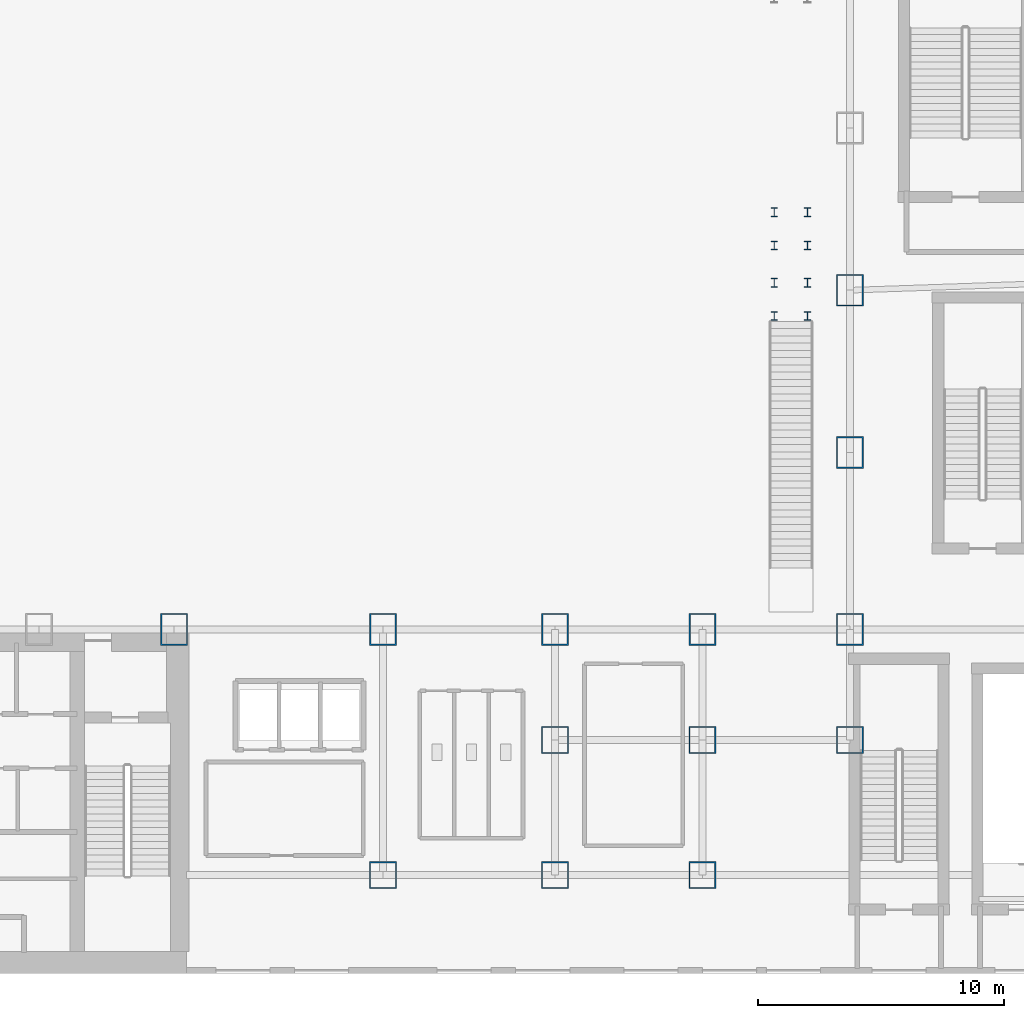
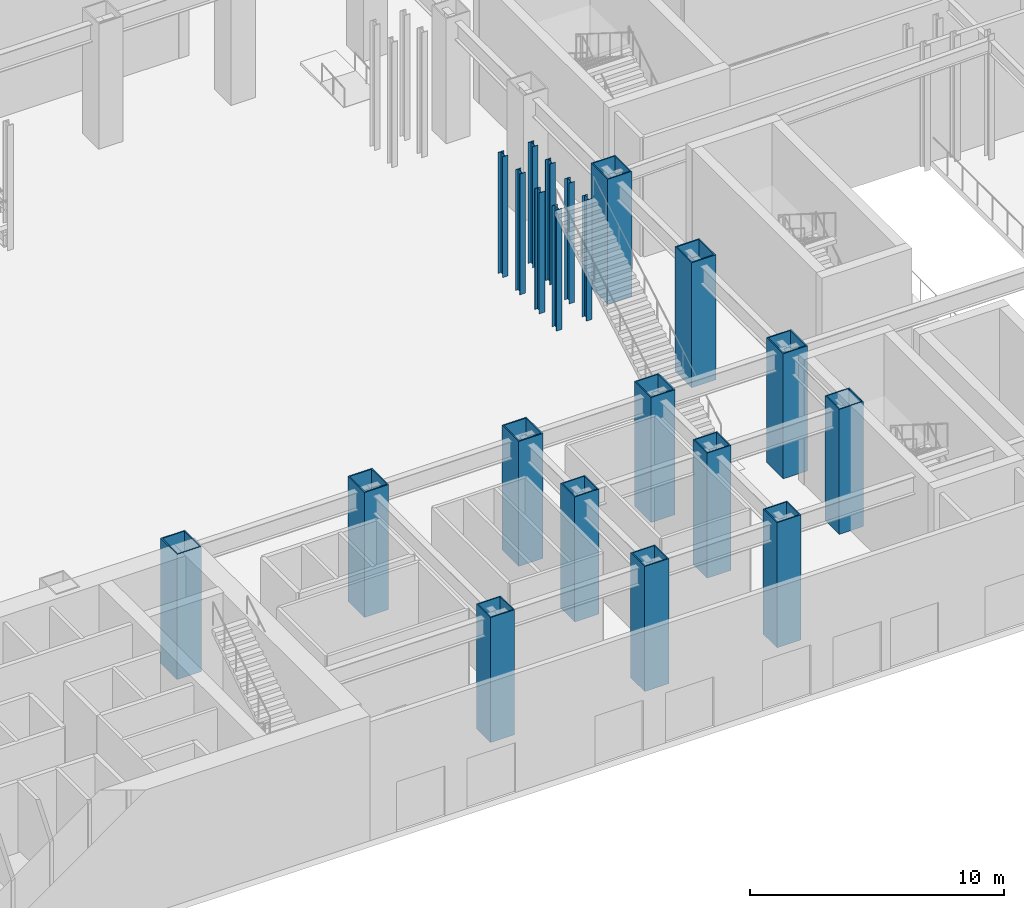
# One storey, part 2 of 25: 21 columns.
"""IFC4 building model written with IfcOpenShell, lengths in metres."""

from ifc_helpers import new_model, si_unit, derived_unit, direction, frame, origin, origin_2d, place, context, subcontext, project, spatial, hollow_rectangle, i_section, extrude, source, transform, mapped, material, material_profile, profile_set, type_object, element, save


model = new_model("IFC4")

# Units and contexts
model_context = context("Model", 3, precision=1e-05, world=origin(), true_north=direction((0.0, 1.0)))
body_context = subcontext(model_context, "Body", "Model", "MODEL_VIEW")
ifc_project = project(units=[si_unit("LENGTHUNIT", "METRE"), si_unit("AREAUNIT", "SQUARE_METRE"), si_unit("VOLUMEUNIT", "CUBIC_METRE"), si_unit("PLANEANGLEUNIT", "RADIAN"), si_unit("MASSUNIT", "GRAM", prefix="KILO"), derived_unit("THERMALTRANSMITTANCEUNIT", [(si_unit("POWERUNIT", "WATT"), 1), (si_unit("LENGTHUNIT", "METRE"), -2), (si_unit("THERMODYNAMICTEMPERATUREUNIT", "KELVIN"), -1)])], contexts=[model_context])

# Site, building, storey
site_placement = place(None, origin())
site = spatial("IfcSite", under=ifc_project, at=site_placement, CompositionType="ELEMENT")
building_placement = place(site_placement, origin())
building = spatial("IfcBuilding", under=site, at=building_placement, Name="Skarnbrae Concourse Arena and Tower", CompositionType="ELEMENT")
storey_placement = place(building_placement, origin())
storey = spatial("IfcBuildingStorey", under=building, at=storey_placement, Name="L00", CompositionType="ELEMENT", Elevation=0.0)

# Columns
ifc_material = material(Name="Steel CSA G40.21 350W", Category="steel")
ifc_material_profile_1 = material_profile(ifc_material, hollow_rectangle(XDim=1.10009765625, YDim=1.10009765625, WallThickness=0.050048828125, at=origin_2d()), Name="BOX1100X1100X50")
ifc_profile_set_1 = profile_set([ifc_material_profile_1], Name="Steel CSA G40.21 350W")
column_type_1 = type_object("IfcColumnType", Name="COL-MEGA-BOX1100", PredefinedType="PILASTER", material=ifc_profile_set_1)
shared_shape_1 = source(origin(), body_context, "Body", "SweptSolid", [
    extrude(hollow_rectangle(XDim=1.10009765625, YDim=1.10009765625, WallThickness=0.050048828125, at=origin_2d()), origin(), (0.0, 0.0, 1.0), 6.0),
])
for number, where, z_axis, x_axis, name in (
    (1, (61.0, 9.5, 0.0), (0.0, 0.0, 1.0), (1.0, 0.0, 0.0), "L00 Podium mega-column MC-E0"),
    (2, (49.0, 9.5, 0.0), (0.0, 0.0, 1.0), (1.0, 0.0, 0.0), "L00 Podium mega-column PC-SE8"),
    (3, (55.0, 9.5, 0.0), (0.0, 0.0, 1.0), (1.0, 0.0, 0.0), "L00 Podium mega-column PC-SE9"),
    (4, (42.0, 4.0, 0.0), (0.0, 0.0, 1.0), (1.0, 0.0, 0.0), "L00 Podium mega-column PC-7B"),
    (5, (49.0, 4.0, 0.0), (0.0, 0.0, 1.0), (1.0, 0.0, 0.0), "L00 Podium mega-column PC-8B"),
    (6, (55.0, 4.0, 0.0), (0.0, 0.0, 1.0), (1.0, 0.0, 0.0), "L00 Podium mega-column PC-9B"),
):
    element("IfcColumn", number, at=place(storey_placement, frame(where, z_axis=z_axis, x_axis=x_axis)), inside=storey, type_object=column_type_1, Name=name, PredefinedType="PILASTER", context=body_context, shape_type="MappedRepresentation", body=[
        mapped(shared_shape_1, transform((0.0, 0.0, 0.0))),
    ])
ifc_material_profile_2 = material_profile(ifc_material, hollow_rectangle(XDim=1.10009765625, YDim=1.300048828125, WallThickness=0.054931640625, at=origin_2d()), Name="BOX1300X1100X55")
ifc_profile_set_2 = profile_set([ifc_material_profile_2], Name="Steel CSA G40.21 350W")
column_type_2 = type_object("IfcColumnType", Name="COL-MEGA-BOX1300", PredefinedType="PILASTER", material=ifc_profile_set_2)
shared_shape_2 = source(origin(), body_context, "Body", "SweptSolid", [
    extrude(hollow_rectangle(XDim=1.10009765625, YDim=1.300048828125, WallThickness=0.054931640625, at=origin_2d()), origin(), (0.0, 0.0, 1.0), 6.0),
])
for number, where, z_axis, x_axis, name in (
    (7, (33.5, 14.0, 0.0), (0.0, 0.0, 1.0), (1.0, 0.0, 0.0), "L00 Podium mega-column MC-S6"),
    (8, (42.0, 14.0, 0.0), (0.0, 0.0, 1.0), (1.0, 0.0, 0.0), "L00 Podium mega-column MC-S7"),
    (9, (49.0, 14.0, 0.0), (0.0, 0.0, 1.0), (1.0, 0.0, 0.0), "L00 Podium mega-column MC-S8"),
    (10, (55.0, 14.0, 0.0), (0.0, 0.0, 1.0), (1.0, 0.0, 0.0), "L00 Podium mega-column MC-S9"),
    (11, (61.0, 14.0, 0.0), (0.0, 0.0, 1.0), (1.0, 0.0, 0.0), "L00 Podium mega-column MC-S10"),
    (12, (61.0, 21.199951171875, 0.0), (0.0, 0.0, 1.0), (1.0, 0.0, 0.0), "L00 Podium mega-column MC-E1"),
    (13, (61.0, 27.800048828125, 0.0), (0.0, 0.0, 1.0), (1.0, 0.0, 0.0), "L00 Podium mega-column MC-E2"),
):
    element("IfcColumn", number, at=place(storey_placement, frame(where, z_axis=z_axis, x_axis=x_axis)), inside=storey, type_object=column_type_2, Name=name, PredefinedType="PILASTER", context=body_context, shape_type="MappedRepresentation", body=[
        mapped(shared_shape_2, transform((0.0, 0.0, 0.0))),
    ])
ifc_material_profile_3 = material_profile(ifc_material, i_section(OverallWidth=0.257080078125, OverallDepth=0.363037109375, WebThickness=0.012939453125, FlangeThickness=0.021728515625, at=origin_2d()), Name="W360X122")
ifc_profile_set_3 = profile_set([ifc_material_profile_3], Name="Steel CSA G40.21 350W")
column_type_3 = type_object("IfcColumnType", Name="COL-POD-W360X122", PredefinedType="COLUMN", material=ifc_profile_set_3)
shared_shape_3 = source(origin(), body_context, "Body", "SweptSolid", [
    extrude(i_section(OverallWidth=0.257080078125, OverallDepth=0.363037109375, WebThickness=0.012939453125, FlangeThickness=0.021728515625, at=origin_2d()), origin(), (0.0, 0.0, 1.0), 5.800048828125),
])
for number, where, z_axis, x_axis, name in (
    (14, (57.919921875, 26.75, 0.0), (0.0, 0.0, 1.0), (1.0, 0.0, 0.0), "L00 Concourse stair ST-CONC-3-L00 TOP post 11"),
    (15, (57.919921875, 28.110107421875, 0.0), (0.0, 0.0, 1.0), (1.0, 0.0, 0.0), "L00 Concourse stair ST-CONC-3-L00 TOP post 12"),
    (16, (59.280029296875, 26.75, 0.0), (0.0, 0.0, 1.0), (1.0, 0.0, 0.0), "L00 Concourse stair ST-CONC-3-L00 TOP post 21"),
    (17, (59.280029296875, 28.110107421875, 0.0), (0.0, 0.0, 1.0), (1.0, 0.0, 0.0), "L00 Concourse stair ST-CONC-3-L00 TOP post 22"),
    (18, (57.919921875, 29.6201171875, 0.0), (0.0, 0.0, 1.0), (1.0, 0.0, 0.0), "L00 Concourse stair ST-CONC-3-L01 BOT post 11"),
    (19, (57.919921875, 30.97998046875, 0.0), (0.0, 0.0, 1.0), (1.0, 0.0, 0.0), "L00 Concourse stair ST-CONC-3-L01 BOT post 12"),
    (20, (59.280029296875, 29.6201171875, 0.0), (0.0, 0.0, 1.0), (1.0, 0.0, 0.0), "L00 Concourse stair ST-CONC-3-L01 BOT post 21"),
    (21, (59.280029296875, 30.97998046875, 0.0), (0.0, 0.0, 1.0), (1.0, 0.0, 0.0), "L00 Concourse stair ST-CONC-3-L01 BOT post 22"),
):
    element("IfcColumn", number, at=place(storey_placement, frame(where, z_axis=z_axis, x_axis=x_axis)), inside=storey, type_object=column_type_3, Name=name, PredefinedType="COLUMN", context=body_context, shape_type="MappedRepresentation", body=[
        mapped(shared_shape_3, transform((0.0, 0.0, 0.0))),
    ])

save(model, "model.ifc")
